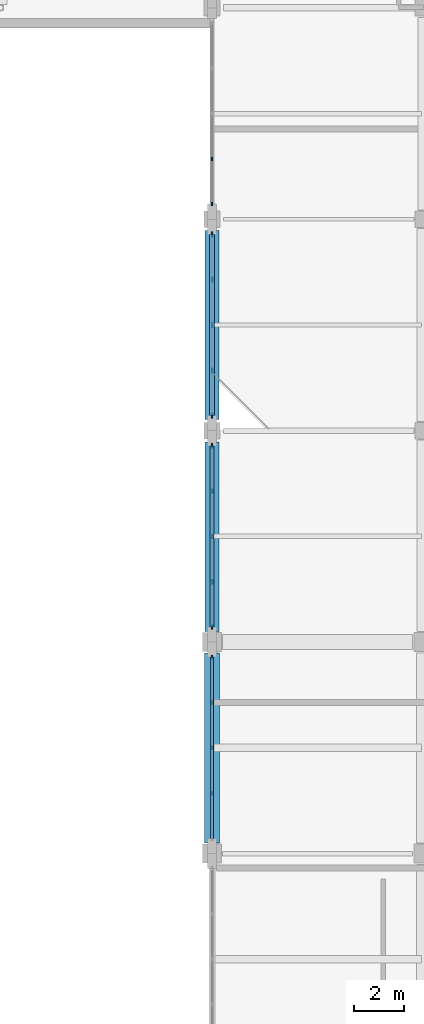
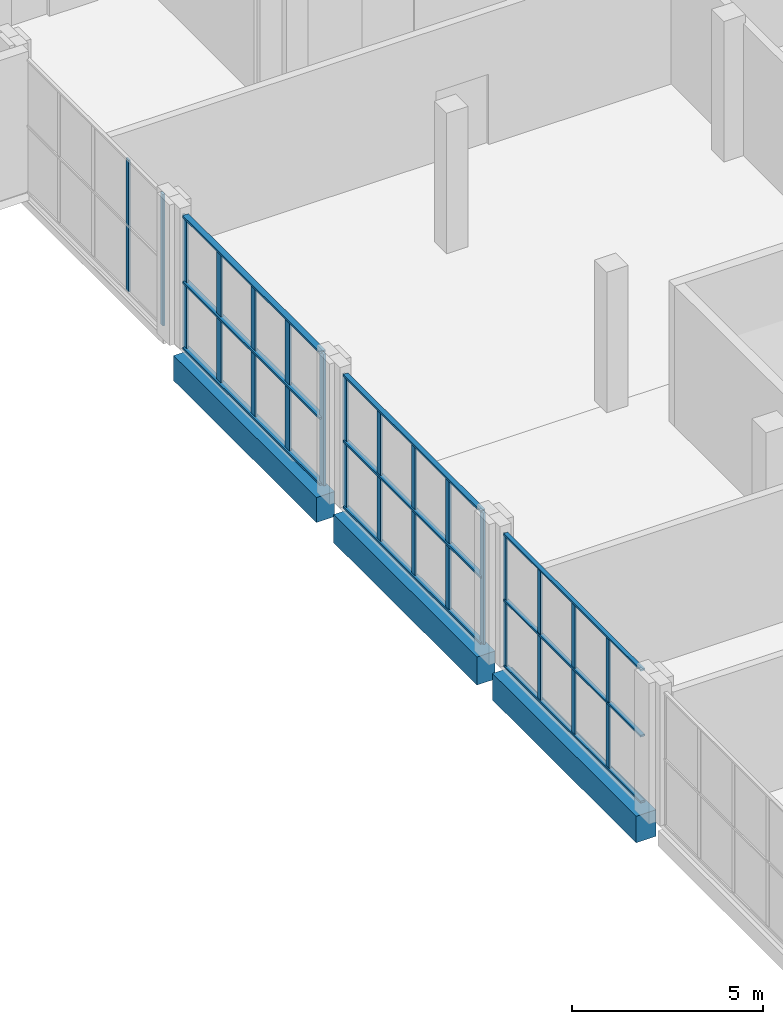
# One storey, part 36 of 75: 25 members, 3 beams, 4 elements without a shape of their own.
"""IFC4 building model written with IfcOpenShell, lengths in metres."""

from ifc_helpers import new_model, si_unit, derived_unit, direction, frame, origin, origin_2d, place, context, subcontext, project, spatial, rectangle, extrude, material, material_profile, profile_set, type_object, element, aggregate, save


model = new_model("IFC4")

# Units and contexts
model_context = context("Model", 3, precision=1e-05, world=origin(), true_north=direction((0.0, 1.0)))
body_context = subcontext(model_context, "Body", "Model", "MODEL_VIEW")
ifc_project = project(units=[si_unit("LENGTHUNIT", "METRE"), si_unit("AREAUNIT", "SQUARE_METRE"), si_unit("VOLUMEUNIT", "CUBIC_METRE"), si_unit("PLANEANGLEUNIT", "RADIAN"), si_unit("MASSUNIT", "GRAM", prefix="KILO"), derived_unit("THERMALTRANSMITTANCEUNIT", [(si_unit("POWERUNIT", "WATT"), 1), (si_unit("LENGTHUNIT", "METRE"), -2), (si_unit("THERMODYNAMICTEMPERATUREUNIT", "KELVIN"), -1)])], contexts=[model_context])

# Site, building, storey
site_placement = place(None, origin())
site = spatial("IfcSite", under=ifc_project, at=site_placement, CompositionType="ELEMENT")
building_placement = place(site_placement, origin())
building = spatial("IfcBuilding", under=site, at=building_placement, Name="Barrovel Congress Hotel", CompositionType="ELEMENT")
storey_placement = place(building_placement, frame((0.0, 0.0, 5.39990234375)))
storey = spatial("IfcBuildingStorey", under=building, at=storey_placement, Name="L01", CompositionType="ELEMENT", Elevation=5.39990234375)

# Beams
ifc_material_1 = material(Name="Concrete C40", Category="concrete")
ifc_material_profile_1 = material_profile(ifc_material_1, rectangle(XDim=0.550048828125, YDim=0.800048828125, at=origin_2d()), Name="RC550x800")
ifc_profile_set_1 = profile_set([ifc_material_profile_1], Name="Concrete C40")
beam_type_1 = type_object("IfcBeamType", Name="BM-RC550x800", PredefinedType="BEAM", material=ifc_profile_set_1)
beam_1_placement = place(storey_placement, frame((126.0, 80.25, -0.659912109375), z_axis=(0.0, 1.0, 0.0), x_axis=(-1.0, 0.0, 0.0)))
element("IfcBeam", 1, at=beam_1_placement, inside=storey, type_object=beam_type_1, Name="BMY:L01:126.0:79.8-88.2", PredefinedType="BEAM", context=body_context, shape_type="SweptSolid", body=[
    extrude(rectangle(XDim=0.550048828125, YDim=0.800048828125, at=origin_2d()), origin(), (0.0, 0.0, 1.0), 7.5),
])
ifc_material_profile_2 = material_profile(ifc_material_1, rectangle(XDim=0.550048828125, YDim=0.89990234375, at=origin_2d()), Name="RC550x900")
ifc_profile_set_2 = profile_set([ifc_material_profile_2], Name="Concrete C40")
beam_type_2 = type_object("IfcBeamType", Name="BM-RC550x900", PredefinedType="BEAM", material=ifc_profile_set_2)
beam_2_placement = place(storey_placement, frame((126.0, 71.824951171875, -0.7099609375), z_axis=(0.0, 1.0, 0.0), x_axis=(-1.0, 0.0, 0.0)))
element("IfcBeam", 2, at=beam_2_placement, inside=storey, type_object=beam_type_2, Name="BMY:L01:126.0:71.4-79.8", PredefinedType="BEAM", context=body_context, shape_type="SweptSolid", body=[
    extrude(rectangle(XDim=0.550048828125, YDim=0.89990234375, at=origin_2d()), origin(), (0.0, 0.0, 1.0), 7.525146484375),
])
ifc_material_profile_3 = material_profile(ifc_material_1, rectangle(XDim=0.60009765625, YDim=0.85009765625, at=origin_2d()), Name="RC600x850")
ifc_profile_set_3 = profile_set([ifc_material_profile_3], Name="Concrete C40")
beam_type_3 = type_object("IfcBeamType", Name="BM-RC600x850", PredefinedType="BEAM", material=ifc_profile_set_3)
beam_3_placement = place(storey_placement, frame((126.0, 63.425048828125, -0.684814453125), z_axis=(0.0, 1.0, 0.0), x_axis=(-1.0, 0.0, 0.0)))
element("IfcBeam", 3, at=beam_3_placement, inside=storey, type_object=beam_type_3, Name="BMY:L01:126.0:63.0-71.4", PredefinedType="BEAM", context=body_context, shape_type="SweptSolid", body=[
    extrude(rectangle(XDim=0.60009765625, YDim=0.85009765625, at=origin_2d()), origin(), (0.0, 0.0, 1.0), 7.550048828125),
])

# Curtain wall, members
ifc_material_2 = material(Name="Anodised Aluminium Alloy 6063-T6", Category="aluminium")
curtain_wall_type = type_object("IfcCurtainWallType", Name="CW-ST-7200x3600", PredefinedType="USERDEFINED", material=ifc_material_2)
curtain_wall_1_placement = place(storey_placement, origin())
curtain_wall_1 = element("IfcCurtainWall", 4, at=curtain_wall_1_placement, inside=storey, type_object=curtain_wall_type, Name="CW:L01:CE:88.2", ObjectType="STICK CURTAIN WALL", PredefinedType="USERDEFINED")
ifc_material_profile_4 = material_profile(ifc_material_2, rectangle(XDim=0.06005859375, YDim=0.139892578125, at=origin_2d()), Name="AL-M60x140")
ifc_profile_set_4 = profile_set([ifc_material_profile_4], Name="Anodised Aluminium Alloy 6063-T6")
member_type_1 = type_object("IfcMemberType", Name="CWM-AL-M60x140", PredefinedType="MULLION", material=ifc_profile_set_4)
member_1_placement = place(storey_placement, frame((126.0, 90.60009765625, 0.0), z_axis=(0.0, 0.0, 1.0), x_axis=(1.0, 0.0, 0.0)))
member_1 = element("IfcMember", 5, at=member_1_placement, type_object=member_type_1, Name="CW:L01:CE:88.2:M3", PredefinedType="MULLION", context=body_context, shape_type="SweptSolid", body=[
    extrude(rectangle(XDim=0.06005859375, YDim=0.139892578125, at=origin_2d()), origin(), (0.0, 0.0, 1.0), 4.22021484375),
])
member_2_placement = place(storey_placement, frame((126.0, 88.800048828125, 0.0), z_axis=(0.0, 0.0, 1.0), x_axis=(1.0, 0.0, 0.0)))
member_2 = element("IfcMember", 6, at=member_2_placement, type_object=member_type_1, Name="CW:L01:CE:88.2:M4", PredefinedType="MULLION", context=body_context, shape_type="SweptSolid", body=[
    extrude(rectangle(XDim=0.06005859375, YDim=0.139892578125, at=origin_2d()), origin(), (0.0, 0.0, 1.0), 4.22021484375),
])
aggregate(curtain_wall_1, [member_1, member_2])

curtain_wall_2_placement = place(storey_placement, origin())
curtain_wall_2 = element("IfcCurtainWall", 7, at=curtain_wall_2_placement, inside=storey, type_object=curtain_wall_type, Name="CW:L01:CE:63.0", ObjectType="STICK CURTAIN WALL", PredefinedType="USERDEFINED")
ifc_material_profile_5 = material_profile(ifc_material_2, rectangle(XDim=0.06005859375, YDim=0.1650390625, at=origin_2d()), Name="AL-M60x165")
ifc_profile_set_5 = profile_set([ifc_material_profile_5], Name="Anodised Aluminium Alloy 6063-T6")
member_type_2 = type_object("IfcMemberType", Name="CWM-AL-M60x165", PredefinedType="MULLION", material=ifc_profile_set_5)
member_3_placement = place(storey_placement, frame((126.0, 70.800048828125, 0.0), z_axis=(0.0, 0.0, 1.0), x_axis=(1.0, 0.0, 0.0)))
member_3 = element("IfcMember", 8, at=member_3_placement, type_object=member_type_2, Name="CW:L01:CE:63.0:M0", PredefinedType="MULLION", context=body_context, shape_type="SweptSolid", body=[
    extrude(rectangle(XDim=0.06005859375, YDim=0.1650390625, at=origin_2d()), origin(), (0.0, 0.0, 1.0), 4.22021484375),
])
member_4_placement = place(storey_placement, frame((126.0, 69.0, 0.0), z_axis=(0.0, 0.0, 1.0), x_axis=(1.0, 0.0, 0.0)))
member_4 = element("IfcMember", 9, at=member_4_placement, type_object=member_type_2, Name="CW:L01:CE:63.0:M1", PredefinedType="MULLION", context=body_context, shape_type="SweptSolid", body=[
    extrude(rectangle(XDim=0.06005859375, YDim=0.1650390625, at=origin_2d()), origin(), (0.0, 0.0, 1.0), 4.22021484375),
])
member_5_placement = place(storey_placement, frame((126.0, 67.199951171875, 0.0), z_axis=(0.0, 0.0, 1.0), x_axis=(1.0, 0.0, 0.0)))
member_5 = element("IfcMember", 10, at=member_5_placement, type_object=member_type_2, Name="CW:L01:CE:63.0:M2", PredefinedType="MULLION", context=body_context, shape_type="SweptSolid", body=[
    extrude(rectangle(XDim=0.06005859375, YDim=0.1650390625, at=origin_2d()), origin(), (0.0, 0.0, 1.0), 4.22021484375),
])
member_6_placement = place(storey_placement, frame((126.0, 65.39990234375, 0.0), z_axis=(0.0, 0.0, 1.0), x_axis=(1.0, 0.0, 0.0)))
member_6 = element("IfcMember", 11, at=member_6_placement, type_object=member_type_2, Name="CW:L01:CE:63.0:M3", PredefinedType="MULLION", context=body_context, shape_type="SweptSolid", body=[
    extrude(rectangle(XDim=0.06005859375, YDim=0.1650390625, at=origin_2d()), origin(), (0.0, 0.0, 1.0), 4.22021484375),
])

curtain_wall_3_placement = place(storey_placement, origin())
curtain_wall_3 = element("IfcCurtainWall", 12, at=curtain_wall_3_placement, inside=storey, type_object=curtain_wall_type, Name="CW:L01:CE:71.4", ObjectType="STICK CURTAIN WALL", PredefinedType="USERDEFINED")
ifc_material_profile_6 = material_profile(ifc_material_2, rectangle(XDim=0.06494140625, YDim=0.18994140625, at=origin_2d()), Name="AL-M65x190")
ifc_profile_set_6 = profile_set([ifc_material_profile_6], Name="Anodised Aluminium Alloy 6063-T6")
member_type_3 = type_object("IfcMemberType", Name="CWM-AL-M65x190", PredefinedType="MULLION", material=ifc_profile_set_6)
member_7_placement = place(storey_placement, frame((126.0, 79.199951171875, 0.0), z_axis=(0.0, 0.0, 1.0), x_axis=(1.0, 0.0, 0.0)))
member_7 = element("IfcMember", 13, at=member_7_placement, type_object=member_type_3, Name="CW:L01:CE:71.4:M0", PredefinedType="MULLION", context=body_context, shape_type="SweptSolid", body=[
    extrude(rectangle(XDim=0.06494140625, YDim=0.18994140625, at=origin_2d()), origin(), (0.0, 0.0, 1.0), 4.22021484375),
])
member_8_placement = place(storey_placement, frame((126.0, 77.39990234375, 0.0), z_axis=(0.0, 0.0, 1.0), x_axis=(1.0, 0.0, 0.0)))
member_8 = element("IfcMember", 14, at=member_8_placement, type_object=member_type_3, Name="CW:L01:CE:71.4:M1", PredefinedType="MULLION", context=body_context, shape_type="SweptSolid", body=[
    extrude(rectangle(XDim=0.06494140625, YDim=0.18994140625, at=origin_2d()), origin(), (0.0, 0.0, 1.0), 4.22021484375),
])
member_9_placement = place(storey_placement, frame((126.0, 75.60009765625, 0.0), z_axis=(0.0, 0.0, 1.0), x_axis=(1.0, 0.0, 0.0)))
member_9 = element("IfcMember", 15, at=member_9_placement, type_object=member_type_3, Name="CW:L01:CE:71.4:M2", PredefinedType="MULLION", context=body_context, shape_type="SweptSolid", body=[
    extrude(rectangle(XDim=0.06494140625, YDim=0.18994140625, at=origin_2d()), origin(), (0.0, 0.0, 1.0), 4.22021484375),
])
member_10_placement = place(storey_placement, frame((126.0, 73.800048828125, 0.0), z_axis=(0.0, 0.0, 1.0), x_axis=(1.0, 0.0, 0.0)))
member_10 = element("IfcMember", 16, at=member_10_placement, type_object=member_type_3, Name="CW:L01:CE:71.4:M3", PredefinedType="MULLION", context=body_context, shape_type="SweptSolid", body=[
    extrude(rectangle(XDim=0.06494140625, YDim=0.18994140625, at=origin_2d()), origin(), (0.0, 0.0, 1.0), 4.22021484375),
])
member_11_placement = place(storey_placement, frame((126.0, 72.0, 0.0), z_axis=(0.0, 0.0, 1.0), x_axis=(1.0, 0.0, 0.0)))
member_11 = element("IfcMember", 17, at=member_11_placement, type_object=member_type_3, Name="CW:L01:CE:71.4:M4", PredefinedType="MULLION", context=body_context, shape_type="SweptSolid", body=[
    extrude(rectangle(XDim=0.06494140625, YDim=0.18994140625, at=origin_2d()), origin(), (0.0, 0.0, 1.0), 4.22021484375),
])

curtain_wall_4_placement = place(storey_placement, origin())
curtain_wall_4 = element("IfcCurtainWall", 18, at=curtain_wall_4_placement, inside=storey, type_object=curtain_wall_type, Name="CW:L01:CE:79.8", ObjectType="STICK CURTAIN WALL", PredefinedType="USERDEFINED")
ifc_material_profile_7 = material_profile(ifc_material_2, rectangle(XDim=0.06494140625, YDim=0.219970703125, at=origin_2d()), Name="AL-M65x220")
ifc_profile_set_7 = profile_set([ifc_material_profile_7], Name="Anodised Aluminium Alloy 6063-T6")
member_type_4 = type_object("IfcMemberType", Name="CWM-AL-M65x220", PredefinedType="MULLION", material=ifc_profile_set_7)
member_12_placement = place(storey_placement, frame((126.0, 87.60009765625, 0.0), z_axis=(0.0, 0.0, 1.0), x_axis=(1.0, 0.0, 0.0)))
member_12 = element("IfcMember", 19, at=member_12_placement, type_object=member_type_4, Name="CW:L01:CE:79.8:M0", PredefinedType="MULLION", context=body_context, shape_type="SweptSolid", body=[
    extrude(rectangle(XDim=0.06494140625, YDim=0.219970703125, at=origin_2d()), origin(), (0.0, 0.0, 1.0), 4.22021484375),
])
member_13_placement = place(storey_placement, frame((126.0, 85.800048828125, 0.0), z_axis=(0.0, 0.0, 1.0), x_axis=(1.0, 0.0, 0.0)))
member_13 = element("IfcMember", 20, at=member_13_placement, type_object=member_type_4, Name="CW:L01:CE:79.8:M1", PredefinedType="MULLION", context=body_context, shape_type="SweptSolid", body=[
    extrude(rectangle(XDim=0.06494140625, YDim=0.219970703125, at=origin_2d()), origin(), (0.0, 0.0, 1.0), 4.22021484375),
])
member_14_placement = place(storey_placement, frame((126.0, 84.0, 0.0), z_axis=(0.0, 0.0, 1.0), x_axis=(1.0, 0.0, 0.0)))
member_14 = element("IfcMember", 21, at=member_14_placement, type_object=member_type_4, Name="CW:L01:CE:79.8:M2", PredefinedType="MULLION", context=body_context, shape_type="SweptSolid", body=[
    extrude(rectangle(XDim=0.06494140625, YDim=0.219970703125, at=origin_2d()), origin(), (0.0, 0.0, 1.0), 4.22021484375),
])
member_15_placement = place(storey_placement, frame((126.0, 82.199951171875, 0.0), z_axis=(0.0, 0.0, 1.0), x_axis=(1.0, 0.0, 0.0)))
member_15 = element("IfcMember", 22, at=member_15_placement, type_object=member_type_4, Name="CW:L01:CE:79.8:M3", PredefinedType="MULLION", context=body_context, shape_type="SweptSolid", body=[
    extrude(rectangle(XDim=0.06494140625, YDim=0.219970703125, at=origin_2d()), origin(), (0.0, 0.0, 1.0), 4.22021484375),
])
member_16_placement = place(storey_placement, frame((126.0, 80.39990234375, 0.0), z_axis=(0.0, 0.0, 1.0), x_axis=(1.0, 0.0, 0.0)))
member_16 = element("IfcMember", 23, at=member_16_placement, type_object=member_type_4, Name="CW:L01:CE:79.8:M4", PredefinedType="MULLION", context=body_context, shape_type="SweptSolid", body=[
    extrude(rectangle(XDim=0.06494140625, YDim=0.219970703125, at=origin_2d()), origin(), (0.0, 0.0, 1.0), 4.22021484375),
])

# Member
ifc_material_profile_8 = material_profile(ifc_material_2, rectangle(XDim=0.125, YDim=0.06005859375, at=origin_2d()), Name="AL-T60x125")
ifc_profile_set_8 = profile_set([ifc_material_profile_8], Name="Anodised Aluminium Alloy 6063-T6")
member_type_5 = type_object("IfcMemberType", Name="CWT-AL-T60x125", PredefinedType="USERDEFINED", material=ifc_profile_set_8)
member_17_placement = place(storey_placement, frame((126.0, 70.800048828125, 0.0), z_axis=(0.0, -1.0, 0.0), x_axis=(1.0, 0.0, 0.0)))
member_17 = element("IfcMember", 24, at=member_17_placement, type_object=member_type_5, Name="CW:L01:CE:63.0:T0", ObjectType="TRANSOM", PredefinedType="USERDEFINED", context=body_context, shape_type="SweptSolid", body=[
    extrude(rectangle(XDim=0.125, YDim=0.06005859375, at=origin_2d()), origin(), (0.0, 0.0, 1.0), 7.199951171875),
])

member_18_placement = place(storey_placement, frame((126.0, 70.800048828125, 2.110107421875), z_axis=(0.0, -1.0, 0.0), x_axis=(1.0, 0.0, 0.0)))
member_18 = element("IfcMember", 25, at=member_18_placement, type_object=member_type_5, Name="CW:L01:CE:63.0:T1", ObjectType="TRANSOM", PredefinedType="USERDEFINED", context=body_context, shape_type="SweptSolid", body=[
    extrude(rectangle(XDim=0.125, YDim=0.06005859375, at=origin_2d()), origin(), (0.0, 0.0, 1.0), 7.199951171875),
])

member_19_placement = place(storey_placement, frame((126.0, 70.800048828125, 4.22021484375), z_axis=(0.0, -1.0, 0.0), x_axis=(1.0, 0.0, 0.0)))
member_19 = element("IfcMember", 26, at=member_19_placement, type_object=member_type_5, Name="CW:L01:CE:63.0:T2", ObjectType="TRANSOM", PredefinedType="USERDEFINED", context=body_context, shape_type="SweptSolid", body=[
    extrude(rectangle(XDim=0.125, YDim=0.06005859375, at=origin_2d()), origin(), (0.0, 0.0, 1.0), 7.199951171875),
])

aggregate(curtain_wall_2, [member_3, member_4, member_5, member_6, member_17, member_18, member_19])

ifc_material_profile_9 = material_profile(ifc_material_2, rectangle(XDim=0.14990234375, YDim=0.06494140625, at=origin_2d()), Name="AL-T65x150")
ifc_profile_set_9 = profile_set([ifc_material_profile_9], Name="Anodised Aluminium Alloy 6063-T6")
member_type_6 = type_object("IfcMemberType", Name="CWT-AL-T65x150", PredefinedType="USERDEFINED", material=ifc_profile_set_9)
member_20_placement = place(storey_placement, frame((126.0, 79.199951171875, 0.0), z_axis=(0.0, -1.0, 0.0), x_axis=(1.0, 0.0, 0.0)))
member_20 = element("IfcMember", 27, at=member_20_placement, type_object=member_type_6, Name="CW:L01:CE:71.4:T0", ObjectType="TRANSOM", PredefinedType="USERDEFINED", context=body_context, shape_type="SweptSolid", body=[
    extrude(rectangle(XDim=0.14990234375, YDim=0.06494140625, at=origin_2d()), origin(), (0.0, 0.0, 1.0), 7.199951171875),
])

member_21_placement = place(storey_placement, frame((126.0, 79.199951171875, 2.110107421875), z_axis=(0.0, -1.0, 0.0), x_axis=(1.0, 0.0, 0.0)))
member_21 = element("IfcMember", 28, at=member_21_placement, type_object=member_type_6, Name="CW:L01:CE:71.4:T1", ObjectType="TRANSOM", PredefinedType="USERDEFINED", context=body_context, shape_type="SweptSolid", body=[
    extrude(rectangle(XDim=0.14990234375, YDim=0.06494140625, at=origin_2d()), origin(), (0.0, 0.0, 1.0), 7.199951171875),
])

member_22_placement = place(storey_placement, frame((126.0, 79.199951171875, 4.22021484375), z_axis=(0.0, -1.0, 0.0), x_axis=(1.0, 0.0, 0.0)))
member_22 = element("IfcMember", 29, at=member_22_placement, type_object=member_type_6, Name="CW:L01:CE:71.4:T2", ObjectType="TRANSOM", PredefinedType="USERDEFINED", context=body_context, shape_type="SweptSolid", body=[
    extrude(rectangle(XDim=0.14990234375, YDim=0.06494140625, at=origin_2d()), origin(), (0.0, 0.0, 1.0), 7.199951171875),
])

aggregate(curtain_wall_3, [member_7, member_8, member_9, member_10, member_11, member_20, member_21, member_22])

ifc_material_profile_10 = material_profile(ifc_material_2, rectangle(XDim=0.179931640625, YDim=0.06494140625, at=origin_2d()), Name="AL-T65x180")
ifc_profile_set_10 = profile_set([ifc_material_profile_10], Name="Anodised Aluminium Alloy 6063-T6")
member_type_7 = type_object("IfcMemberType", Name="CWT-AL-T65x180", PredefinedType="USERDEFINED", material=ifc_profile_set_10)
member_23_placement = place(storey_placement, frame((126.0, 87.60009765625, 0.0), z_axis=(0.0, -1.0, 0.0), x_axis=(1.0, 0.0, 0.0)))
member_23 = element("IfcMember", 30, at=member_23_placement, type_object=member_type_7, Name="CW:L01:CE:79.8:T0", ObjectType="TRANSOM", PredefinedType="USERDEFINED", context=body_context, shape_type="SweptSolid", body=[
    extrude(rectangle(XDim=0.179931640625, YDim=0.06494140625, at=origin_2d()), origin(), (0.0, 0.0, 1.0), 7.2001953125),
])

member_24_placement = place(storey_placement, frame((126.0, 87.60009765625, 2.110107421875), z_axis=(0.0, -1.0, 0.0), x_axis=(1.0, 0.0, 0.0)))
member_24 = element("IfcMember", 31, at=member_24_placement, type_object=member_type_7, Name="CW:L01:CE:79.8:T1", ObjectType="TRANSOM", PredefinedType="USERDEFINED", context=body_context, shape_type="SweptSolid", body=[
    extrude(rectangle(XDim=0.179931640625, YDim=0.06494140625, at=origin_2d()), origin(), (0.0, 0.0, 1.0), 7.2001953125),
])

member_25_placement = place(storey_placement, frame((126.0, 87.60009765625, 4.22021484375), z_axis=(0.0, -1.0, 0.0), x_axis=(1.0, 0.0, 0.0)))
member_25 = element("IfcMember", 32, at=member_25_placement, type_object=member_type_7, Name="CW:L01:CE:79.8:T2", ObjectType="TRANSOM", PredefinedType="USERDEFINED", context=body_context, shape_type="SweptSolid", body=[
    extrude(rectangle(XDim=0.179931640625, YDim=0.06494140625, at=origin_2d()), origin(), (0.0, 0.0, 1.0), 7.2001953125),
])

aggregate(curtain_wall_4, [member_12, member_13, member_14, member_15, member_16, member_23, member_24, member_25])

save(model, "model.ifc")
